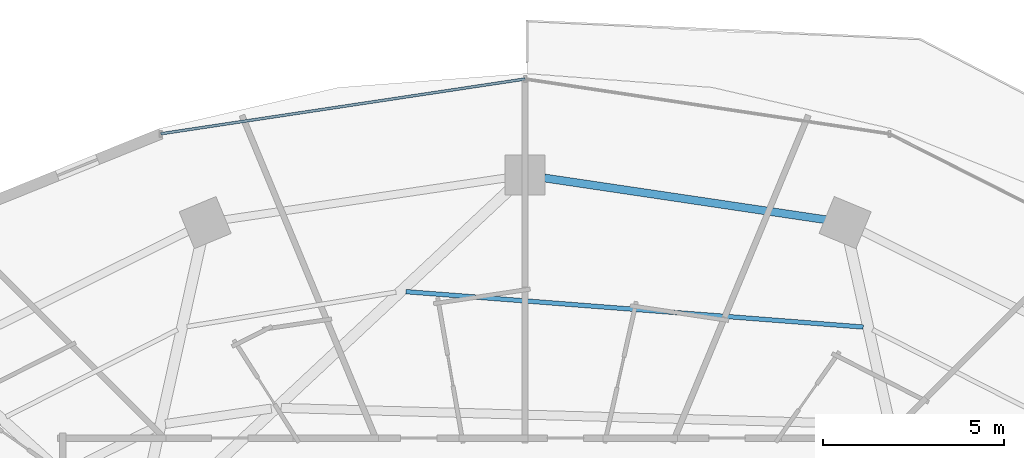
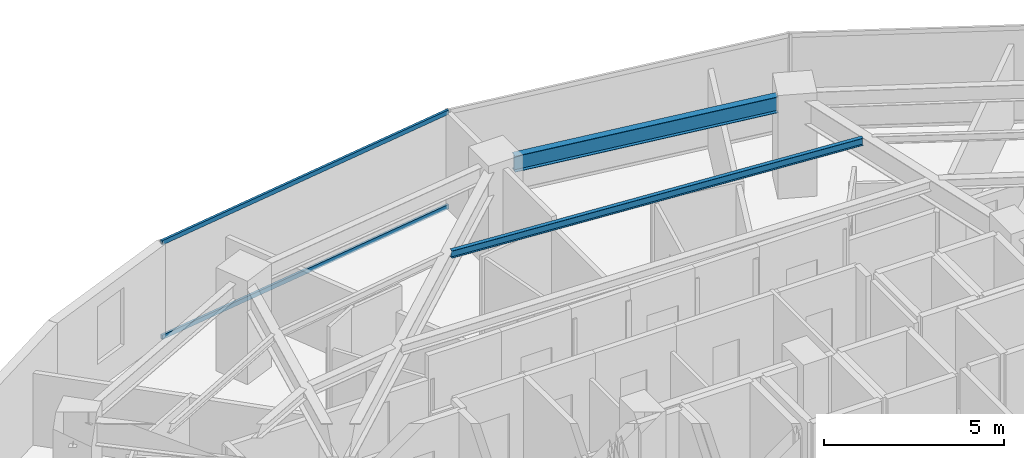
# One storey, part 20 of 31: 2 beams, 2 members, 1 element without a shape of its own.
"""IFC4 building model written with IfcOpenShell, lengths in metres."""

from ifc_helpers import new_model, si_unit, direction, frame, origin, origin_2d, place, context, subcontext, project, spatial, hollow_rectangle, i_section, extrude, material, material_profile, profile_set, type_object, element, aggregate, save


model = new_model("IFC4")

# Units and contexts
model_context = context("Model", 3, precision=1e-05, world=origin(), true_north=direction((0.0, 1.0)))
body_context = subcontext(model_context, "Body", "Model", "MODEL_VIEW")
ifc_project = project(units=[si_unit("LENGTHUNIT", "METRE"), si_unit("AREAUNIT", "SQUARE_METRE"), si_unit("VOLUMEUNIT", "CUBIC_METRE"), si_unit("PLANEANGLEUNIT", "RADIAN"), si_unit("MASSUNIT", "GRAM", prefix="KILO")], contexts=[model_context])

# Site, building, storey
site_placement = place(None, origin())
site = spatial("IfcSite", under=ifc_project, at=site_placement, CompositionType="ELEMENT")
building_placement = place(site_placement, origin())
building = spatial("IfcBuilding", under=site, at=building_placement, Name="Vorneva Point Tower", CompositionType="ELEMENT")
storey_placement = place(building_placement, frame((0.0, 0.0, 103.300048828125)))
storey = spatial("IfcBuildingStorey", under=building, at=storey_placement, Name="L27", CompositionType="ELEMENT", Elevation=103.300048828125)

# Beams
ifc_material_1 = material(Name="Steel S355", Category="steel")
ifc_material_profile_1 = material_profile(ifc_material_1, i_section(OverallWidth=0.1240234375, OverallDepth=0.248046875, WebThickness=0.0048828125, FlangeThickness=0.008056640625, at=origin_2d()), Name="25B1")
ifc_profile_set_1 = profile_set([ifc_material_profile_1], Name="Steel S355")
beam_type_1 = type_object("IfcBeamType", Name="BM-JST-25B1", PredefinedType="JOIST", material=ifc_profile_set_1)
beam_1_placement = place(storey_placement, frame((47.3212890625, 39.010986328125, 3.115966796875), z_axis=(-0.997018836162, 0.077158540275, 0.0), x_axis=(-0.077158540275, -0.997018836162, 0.0)))
element("IfcBeam", 1, at=beam_1_placement, inside=storey, type_object=beam_type_1, Name="L27 Secondary Floor Beam 1.04", PredefinedType="JOIST", context=body_context, shape_type="SweptSolid", body=[
    extrude(i_section(OverallWidth=0.1240234375, OverallDepth=0.248046875, WebThickness=0.0048828125, FlangeThickness=0.008056640625, at=origin_2d()), origin(), (0.0, 0.0, 1.0), 12.64697265625),
])
ifc_material_profile_2 = material_profile(ifc_material_1, i_section(OverallWidth=0.219970703125, OverallDepth=0.54296875, WebThickness=0.009521484375, FlangeThickness=0.013427734375, at=origin_2d()), Name="55B1")
ifc_profile_set_2 = profile_set([ifc_material_profile_2], Name="Steel S355")
beam_type_2 = type_object("IfcBeamType", Name="BM-SPN-55B1", PredefinedType="SPANDREL", material=ifc_profile_set_2)
beam_2_placement = place(storey_placement, frame((46.291748046875, 41.96923828125, 2.968505859375), z_axis=(-0.989164507783, 0.146811363806, 0.0), x_axis=(-0.146811363806, -0.989164507783, 0.0)))
element("IfcBeam", 2, at=beam_2_placement, inside=storey, type_object=beam_type_2, Name="L27 Perimeter Spandrel Ring Beam 04", PredefinedType="SPANDREL", context=body_context, shape_type="SweptSolid", body=[
    extrude(i_section(OverallWidth=0.219970703125, OverallDepth=0.54296875, WebThickness=0.009521484375, FlangeThickness=0.013427734375, at=origin_2d()), origin(), (0.0, 0.0, 1.0), 7.847412109375),
])

# Curtain wall, members
ifc_material_2 = material(Name="Pale anodised aluminium", Category="aluminium")
curtain_wall_type = type_object("IfcCurtainWallType", Name="CW-HTL-SYS", PredefinedType="NOTDEFINED", material=ifc_material_2)
curtain_wall_placement = place(storey_placement, origin())
curtain_wall = element("IfcCurtainWall", 3, at=curtain_wall_placement, inside=storey, type_object=curtain_wall_type, Name="L27 Unitised Curtain Wall CW-L27-R02", PredefinedType="NOTDEFINED")
ifc_material_profile_3 = material_profile(ifc_material_2, hollow_rectangle(XDim=0.074951171875, YDim=0.14990234375, WallThickness=0.00390625, at=origin_2d()), Name="AL-TRN 150x75x4")
ifc_profile_set_3 = profile_set([ifc_material_profile_3], Name="Pale anodised aluminium")
member_type = type_object("IfcMemberType", Name="CW-TRN-150", PredefinedType="USERDEFINED", material=ifc_profile_set_3)
member_1_placement = place(storey_placement, frame((38.0, 45.85009765625, 0.02001953125), z_axis=(-0.988875982167, -0.148742367512, 0.0), x_axis=(0.148742367512, -0.988875982167, 0.0)))
member_1 = element("IfcMember", 4, at=member_1_placement, type_object=member_type, Name="CW-L27-R02 Transom 03.1", ObjectType="TRANSOM", PredefinedType="USERDEFINED", context=body_context, shape_type="SweptSolid", body=[
    extrude(hollow_rectangle(XDim=0.074951171875, YDim=0.14990234375, WallThickness=0.00390625, at=origin_2d()), origin(), (0.0, 0.0, 1.0), 10.158447265625),
])
member_2_placement = place(storey_placement, frame((38.0, 45.85009765625, 3.219970703125), z_axis=(-0.988875982167, -0.148742367512, 0.0), x_axis=(0.148742367512, -0.988875982167, 0.0)))
member_2 = element("IfcMember", 5, at=member_2_placement, type_object=member_type, Name="CW-L27-R02 Transom 03.2", ObjectType="TRANSOM", PredefinedType="USERDEFINED", context=body_context, shape_type="SweptSolid", body=[
    extrude(hollow_rectangle(XDim=0.074951171875, YDim=0.14990234375, WallThickness=0.00390625, at=origin_2d()), origin(), (0.0, 0.0, 1.0), 10.158447265625),
])
aggregate(curtain_wall, [member_1, member_2])

save(model, "model.ifc")
